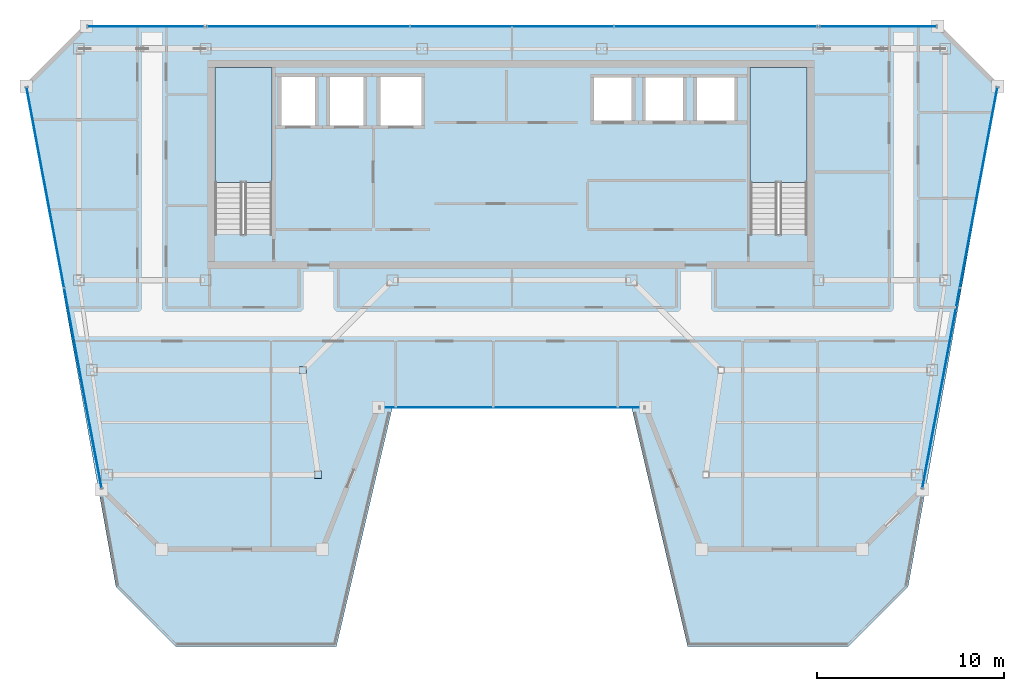
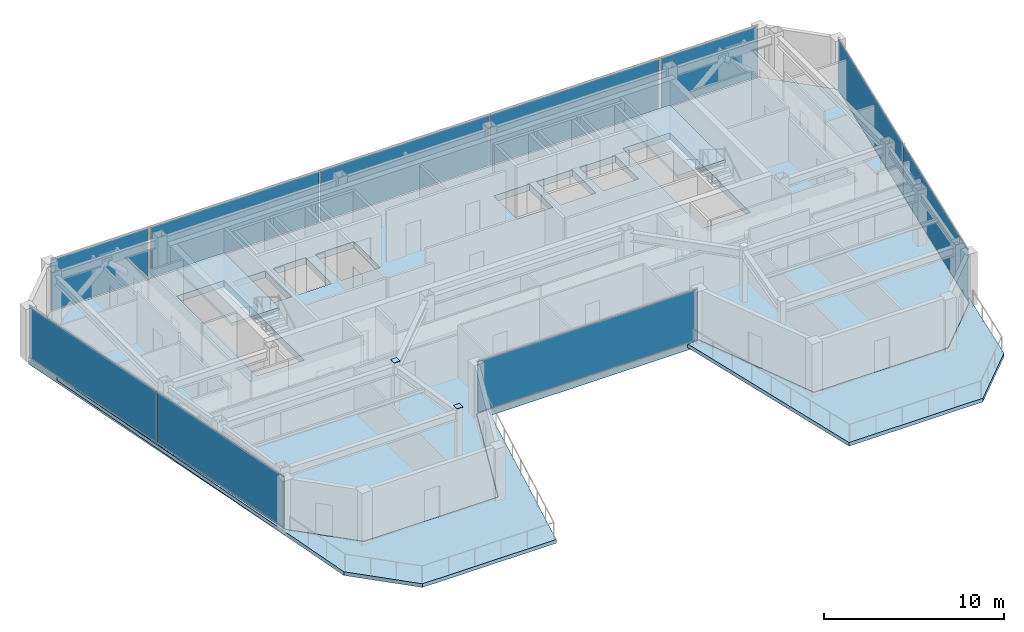
# One storey, part 17 of 25: 12 plates, 5 slabs, 8 elements without a shape of their own.
"""IFC4 building model written with IfcOpenShell, lengths in metres."""

from ifc_helpers import new_model, si_unit, direction, frame, origin, origin_2d, place, context, subcontext, project, spatial, polyline, rectangle, outline, extrude, material, layer, layer_set, type_object, element, aggregate, save


model = new_model("IFC4")

# Units and contexts
model_context = context("Model", 3, precision=1e-05, world=origin(), true_north=direction((0.0, 1.0)))
body_context = subcontext(model_context, "Body", "Model", "MODEL_VIEW")
ifc_project = project(units=[si_unit("LENGTHUNIT", "METRE"), si_unit("AREAUNIT", "SQUARE_METRE"), si_unit("VOLUMEUNIT", "CUBIC_METRE"), si_unit("PLANEANGLEUNIT", "RADIAN"), si_unit("MASSUNIT", "GRAM", prefix="KILO")], contexts=[model_context])

# Site, building, storey
site_placement = place(None, origin())
site = spatial("IfcSite", under=ifc_project, at=site_placement, CompositionType="ELEMENT")
building_placement = place(site_placement, origin())
building = spatial("IfcBuilding", under=site, at=building_placement, Name="Saevonmaru Cultural Tower", CompositionType="ELEMENT")
storey_placement = place(building_placement, frame((0.0, 0.0, 276.199951171875)))
storey = spatial("IfcBuildingStorey", under=building, at=storey_placement, Name="L65", CompositionType="ELEMENT", Elevation=276.199951171875)

# Plates
ifc_material_1 = material(Name="Steel HSA600 (600 MPa)", Category="steel")
ifc_layer_1 = layer(ifc_material_1, 0.0400390625, Name="Steel HSA600 (600 MPa)")
ifc_layer_set_1 = layer_set([ifc_layer_1], Name="Steel HSA600 (600 MPa)")
plate_type_1 = type_object("IfcPlateType", Name="PL-CAP-350", PredefinedType="USERDEFINED", material=ifc_layer_set_1)
for number, where, z_axis, x_axis, name in (
    (1, (19.616943359375, 32.0, 3.794921875), (0.0, 0.0, 1.0), (1.0, 0.0, 0.0), "Column head cap plate TC-WI-Y320 L65"),
    (2, (18.80810546875, 37.60009765625, 3.794921875), (0.0, 0.0, 1.0), (1.0, 0.0, 0.0), "Column head cap plate TC-WI-Y376 L65"),
):
    element("IfcPlate", number, at=place(storey_placement, frame(where, z_axis=z_axis, x_axis=x_axis)), inside=storey, type_object=plate_type_1, Name=name, ObjectType="CAP_PLATE", PredefinedType="USERDEFINED", context=body_context, shape_type="SweptSolid", body=[
        extrude(rectangle(XDim=0.389892578125, YDim=0.389892578125, at=origin_2d()), origin(), (0.0, 0.0, 1.0), 0.0400390625),
    ])

# Curtain wall, plate
ifc_material_2 = material(Name="Satin Bronze Anodised Aluminium", Category="aluminium")
curtain_wall_type = type_object("IfcCurtainWallType", Name="CW-TYP-B", PredefinedType="NOTDEFINED", material=ifc_material_2)
curtain_wall_1_placement = place(storey_placement, origin())
curtain_wall_1 = element("IfcCurtainWall", 3, at=curtain_wall_1_placement, inside=storey, type_object=curtain_wall_type, Name="L65 Unitised Curtain Wall E4", PredefinedType="NOTDEFINED")
ifc_material_3 = material(Name="Triple Silver Low-E Insulating Glass", Category="glass")
ifc_layer_2 = layer(ifc_material_3, 0.035888671875, Name="Triple Silver Low-E Insulating Glass")
ifc_layer_set_2 = layer_set([ifc_layer_2], Name="Triple Silver Low-E Insulating Glass")
plate_type_2 = type_object("IfcPlateType", Name="PN-GLZ-IGU", PredefinedType="CURTAIN_PANEL", material=ifc_layer_set_2)
plate_1_placement = place(storey_placement, frame((30.0, 35.60009765625, 0.067138671875), z_axis=(0.0, 0.0, 1.0), x_axis=(1.0, 0.0, 0.0)))
plate_1 = element("IfcPlate", 4, at=plate_1_placement, type_object=plate_type_2, Name="CW-TW-L65-E4 panel 1.1", PredefinedType="CURTAIN_PANEL", context=body_context, shape_type="SweptSolid", body=[
    extrude(rectangle(XDim=14.122314453125, YDim=0.035888671875, at=origin_2d()), origin(), (0.0, 0.0, 1.0), 3.416015625),
])
aggregate(curtain_wall_1, [plate_1])

# Curtain wall, plates
curtain_wall_2_placement = place(storey_placement, origin())
curtain_wall_2 = element("IfcCurtainWall", 5, at=curtain_wall_2_placement, inside=storey, type_object=curtain_wall_type, Name="L65 Unitised Curtain Wall E8", PredefinedType="NOTDEFINED")
plate_2_placement = place(storey_placement, frame((52.97216796875, 36.62939453125, 0.067138671875), z_axis=(0.0, 0.0, 1.0), x_axis=(0.184046528232, 0.982917532373, 0.0)))
plate_2 = element("IfcPlate", 6, at=plate_2_placement, type_object=plate_type_2, Name="CW-TW-L65-E8 panel 1.1", PredefinedType="CURTAIN_PANEL", context=body_context, shape_type="SweptSolid", body=[
    extrude(rectangle(XDim=10.858642578125, YDim=0.035888671875, at=origin_2d()), origin(), (0.0, 0.0, 1.0), 3.416015625),
])
plate_3_placement = place(storey_placement, frame((54.9833984375, 47.37060546875, 0.067138671875), z_axis=(0.0, 0.0, 1.0), x_axis=(0.184046528232, 0.982917532373, 0.0)))
plate_3 = element("IfcPlate", 7, at=plate_3_placement, type_object=plate_type_2, Name="CW-TW-L65-E8 panel 2.1", PredefinedType="CURTAIN_PANEL", context=body_context, shape_type="SweptSolid", body=[
    extrude(rectangle(XDim=10.858642578125, YDim=0.035888671875, at=origin_2d()), origin(), (0.0, 0.0, 1.0), 3.416015625),
])
aggregate(curtain_wall_2, [plate_2, plate_3])

curtain_wall_3_placement = place(storey_placement, origin())
curtain_wall_3 = element("IfcCurtainWall", 8, at=curtain_wall_3_placement, inside=storey, type_object=curtain_wall_type, Name="L65 North Spine Unitised Curtain Wall E10B", PredefinedType="NOTDEFINED")
plate_4_placement = place(storey_placement, frame((40.893310546875, 56.0, 0.067138671875), z_axis=(0.0, 0.0, 1.0), x_axis=(-1.0, 0.0, 0.0)))
plate_4 = element("IfcPlate", 9, at=plate_4_placement, type_object=plate_type_2, Name="CW-TW-L65-E10B panel 1.1", PredefinedType="CURTAIN_PANEL", context=body_context, shape_type="SweptSolid", body=[
    extrude(rectangle(XDim=10.82421875, YDim=0.035888671875, at=origin_2d()), origin(), (0.0, 0.0, 1.0), 3.416015625),
])
plate_5_placement = place(storey_placement, frame((30.0, 56.0, 0.067138671875), z_axis=(0.0, 0.0, 1.0), x_axis=(-1.0, 0.0, 0.0)))
plate_5 = element("IfcPlate", 10, at=plate_5_placement, type_object=plate_type_2, Name="CW-TW-L65-E10B panel 2.1", PredefinedType="CURTAIN_PANEL", context=body_context, shape_type="SweptSolid", body=[
    extrude(rectangle(XDim=10.82421875, YDim=0.035888671875, at=origin_2d()), origin(), (0.0, 0.0, 1.0), 3.416015625),
])
plate_6_placement = place(storey_placement, frame((19.106689453125, 56.0, 0.067138671875), z_axis=(0.0, 0.0, 1.0), x_axis=(-1.0, 0.0, 0.0)))
plate_6 = element("IfcPlate", 11, at=plate_6_placement, type_object=plate_type_2, Name="CW-TW-L65-E10B panel 3.1", PredefinedType="CURTAIN_PANEL", context=body_context, shape_type="SweptSolid", body=[
    extrude(rectangle(XDim=10.82421875, YDim=0.035888671875, at=origin_2d()), origin(), (0.0, 0.0, 1.0), 3.416015625),
])
aggregate(curtain_wall_3, [plate_4, plate_5, plate_6])

curtain_wall_4_placement = place(storey_placement, origin())
curtain_wall_4 = element("IfcCurtainWall", 12, at=curtain_wall_4_placement, inside=storey, type_object=curtain_wall_type, Name="L65 Unitised Curtain Wall E12", PredefinedType="NOTDEFINED")
plate_7_placement = place(storey_placement, frame((5.0166015625, 47.37060546875, 0.067138671875), z_axis=(0.0, 0.0, 1.0), x_axis=(0.184046528232, -0.982917532373, 0.0)))
plate_7 = element("IfcPlate", 13, at=plate_7_placement, type_object=plate_type_2, Name="CW-TW-L65-E12 panel 1.1", PredefinedType="CURTAIN_PANEL", context=body_context, shape_type="SweptSolid", body=[
    extrude(rectangle(XDim=10.858642578125, YDim=0.035888671875, at=origin_2d()), origin(), (0.0, 0.0, 1.0), 3.416015625),
])
plate_8_placement = place(storey_placement, frame((7.02783203125, 36.62939453125, 0.067138671875), z_axis=(0.0, 0.0, 1.0), x_axis=(0.184046528232, -0.982917532373, 0.0)))
plate_8 = element("IfcPlate", 14, at=plate_8_placement, type_object=plate_type_2, Name="CW-TW-L65-E12 panel 2.1", PredefinedType="CURTAIN_PANEL", context=body_context, shape_type="SweptSolid", body=[
    extrude(rectangle(XDim=10.858642578125, YDim=0.035888671875, at=origin_2d()), origin(), (0.0, 0.0, 1.0), 3.416015625),
])
aggregate(curtain_wall_4, [plate_7, plate_8])

# Curtain wall, plate
curtain_wall_5_placement = place(storey_placement, origin())
curtain_wall_5 = element("IfcCurtainWall", 15, at=curtain_wall_5_placement, inside=storey, type_object=curtain_wall_type, Name="L65 East Braced Bay Spandrel Curtain Wall E10A", PredefinedType="NOTDEFINED")
ifc_material_4 = material(Name="Insulated Satin Bronze Aluminium Spandrel Panel", Category="aluminium")
ifc_layer_3 = layer(ifc_material_4, 0.0400390625, Name="Insulated Satin Bronze Aluminium Spandrel Panel")
ifc_layer_set_3 = layer_set([ifc_layer_3], Name="Insulated Satin Bronze Aluminium Spandrel Panel")
plate_type_3 = type_object("IfcPlateType", Name="PN-SPANDREL-BRONZE", PredefinedType="CURTAIN_PANEL", material=ifc_layer_set_3)
plate_9_placement = place(storey_placement, frame((49.60009765625, 56.0, 0.067138671875), z_axis=(0.0, 0.0, 1.0), x_axis=(-1.0, 0.0, 0.0)))
plate_9 = element("IfcPlate", 16, at=plate_9_placement, type_object=plate_type_3, Name="CW-TW-L65-E10A panel 1.1", PredefinedType="CURTAIN_PANEL", context=body_context, shape_type="SweptSolid", body=[
    extrude(rectangle(XDim=6.2109375, YDim=0.035888671875, at=origin_2d()), origin(), (0.0, 0.0, 1.0), 3.416015625),
])
aggregate(curtain_wall_5, [plate_9])

curtain_wall_6_placement = place(storey_placement, origin())
curtain_wall_6 = element("IfcCurtainWall", 17, at=curtain_wall_6_placement, inside=storey, type_object=curtain_wall_type, Name="L65 West Braced Bay Spandrel Curtain Wall E10C", PredefinedType="NOTDEFINED")
plate_10_placement = place(storey_placement, frame((10.39990234375, 56.0, 0.067138671875), z_axis=(0.0, 0.0, 1.0), x_axis=(-1.0, 0.0, 0.0)))
plate_10 = element("IfcPlate", 18, at=plate_10_placement, type_object=plate_type_3, Name="CW-TW-L65-E10C panel 1.1", PredefinedType="CURTAIN_PANEL", context=body_context, shape_type="SweptSolid", body=[
    extrude(rectangle(XDim=6.2109375, YDim=0.035888671875, at=origin_2d()), origin(), (0.0, 0.0, 1.0), 3.416015625),
])
aggregate(curtain_wall_6, [plate_10])

# Slab
ifc_material_5 = material(Name="Concrete C50/60", Category="concrete")
ifc_layer_4 = layer(ifc_material_5, 0.449951171875, Name="Concrete C50/60")
ifc_layer_set_4 = layer_set([ifc_layer_4], Name="Concrete C50/60")
slab_type_1 = type_object("IfcSlabType", Name="SL-FLR-450", PredefinedType="FLOOR", material=ifc_layer_set_4)
slab_1_placement = place(storey_placement, frame((0.0, 0.0, -0.449951171875)))
element("IfcSlab", 19, at=slab_1_placement, inside=storey, type_object=slab_type_1, Name="L65 Tower Structural Floor Slab", PredefinedType="FLOOR", context=body_context, shape_type="SweptSolid", body=[
    extrude(outline(polyline([(8.04443359375, 31.199951171875), (11.244384765625, 28.0), (19.844482421875, 28.0), (22.844482421875, 35.60009765625), (37.155517578125, 35.60009765625), (40.155517578125, 28.0), (48.755615234375, 28.0), (51.95556640625, 31.199951171875), (56.0, 52.800048828125), (52.800048828125, 56.0), (7.199951171875, 56.0), (4.0, 52.800048828125), (8.04443359375, 31.199951171875)]), holes=[polyline([(45.800048828125, 53.800048828125), (45.800048828125, 44.875), (42.75, 44.875), (42.75, 53.800048828125), (45.800048828125, 53.800048828125)]), polyline([(42.050048828125, 50.800048828125), (39.75, 50.800048828125), (39.75, 53.39990234375), (42.050048828125, 53.39990234375), (42.050048828125, 50.800048828125)]), polyline([(39.300048828125, 50.800048828125), (37.0, 50.800048828125), (37.0, 53.39990234375), (39.300048828125, 53.39990234375), (39.300048828125, 50.800048828125)]), polyline([(36.550048828125, 50.800048828125), (34.25, 50.800048828125), (34.25, 53.39990234375), (36.550048828125, 53.39990234375), (36.550048828125, 50.800048828125)]), polyline([(25.300048828125, 50.550048828125), (22.800048828125, 50.550048828125), (22.800048828125, 53.449951171875), (25.300048828125, 53.449951171875), (25.300048828125, 50.550048828125)]), polyline([(22.199951171875, 50.550048828125), (20.10009765625, 50.550048828125), (20.10009765625, 53.449951171875), (22.199951171875, 53.449951171875), (22.199951171875, 50.550048828125)]), polyline([(19.60009765625, 50.550048828125), (17.5, 50.550048828125), (17.5, 53.449951171875), (19.60009765625, 53.449951171875), (19.60009765625, 50.550048828125)]), polyline([(17.14990234375, 53.800048828125), (17.14990234375, 44.875), (14.10009765625, 44.875), (14.10009765625, 53.800048828125), (17.14990234375, 53.800048828125)])]), origin(), (0.0, 0.0, 1.0), 0.449951171875),
])

# Stair, slab
ifc_material_6 = material(Name="Concrete C40/50", Category="concrete")
stair_type = type_object("IfcStairType", Name="STR-DOGLEG-RC", PredefinedType="HALF_TURN_STAIR", material=ifc_material_6)
stair_1_placement = place(storey_placement, origin())
stair_1 = element("IfcStair", 20, at=stair_1_placement, inside=storey, type_object=stair_type, Name="L65 Protected exit stair ST-1", PredefinedType="HALF_TURN_STAIR")
ifc_layer_5 = layer(ifc_material_6, 0.199951171875, Name="Concrete C40/50")
ifc_layer_set_5 = layer_set([ifc_layer_5], Name="Concrete C40/50")
slab_type_2 = type_object("IfcSlabType", Name="SL-STAIR-LANDING", PredefinedType="LANDING", material=ifc_layer_set_5)
slab_2_placement = place(storey_placement, frame((0.0, 0.0, 1.699951171875)))
slab_2 = element("IfcSlab", 21, at=slab_2_placement, type_object=slab_type_2, Name="ST-1-L65 landing 1", PredefinedType="LANDING", context=body_context, shape_type="SweptSolid", body=[
    extrude(outline(polyline([(17.14990234375, 47.64990234375), (17.14990234375, 53.800048828125), (14.10009765625, 53.800048828125), (14.10009765625, 47.64990234375), (17.14990234375, 47.64990234375)])), origin(), (0.0, 0.0, 1.0), 0.2001953125),
])
aggregate(stair_1, [slab_2])

stair_2_placement = place(storey_placement, origin())
stair_2 = element("IfcStair", 22, at=stair_2_placement, inside=storey, type_object=stair_type, Name="L65 Protected exit stair ST-2", PredefinedType="HALF_TURN_STAIR")
slab_3_placement = place(storey_placement, frame((0.0, 0.0, 1.699951171875)))
slab_3 = element("IfcSlab", 23, at=slab_3_placement, type_object=slab_type_2, Name="ST-2-L65 landing 1", PredefinedType="LANDING", context=body_context, shape_type="SweptSolid", body=[
    extrude(outline(polyline([(45.800048828125, 47.64990234375), (45.800048828125, 53.800048828125), (42.75, 53.800048828125), (42.75, 47.64990234375), (45.800048828125, 47.64990234375)])), origin(), (0.0, 0.0, 1.0), 0.2001953125),
])
aggregate(stair_2, [slab_3])

# Slabs
ifc_layer_6 = layer(ifc_material_6, 0.25, Name="Concrete C40/50")
ifc_layer_set_6 = layer_set([ifc_layer_6], Name="Concrete C40/50")
slab_type_3 = type_object("IfcSlabType", Name="SL-TERR-250", PredefinedType="FLOOR", material=ifc_layer_set_6)
slab_4_placement = place(storey_placement, frame((0.0, 0.0, -0.25)))
element("IfcSlab", 24, at=slab_4_placement, inside=storey, type_object=slab_type_3, Name="L65 Sawtooth Setback Roof Terrace 1", PredefinedType="FLOOR", context=body_context, shape_type="SweptSolid", body=[
    extrude(outline(polyline([(23.5908203125, 35.580078125), (22.85791015625, 35.580078125), (19.863037109375, 27.99267578125), (19.8623046875, 27.99072265625), (19.861083984375, 27.989013671875), (19.860107421875, 27.987548828125), (19.858642578125, 27.986083984375), (19.857177734375, 27.984619140625), (19.855712890625, 27.9833984375), (19.85400390625, 27.982421875), (19.852294921875, 27.981689453125), (19.850341796875, 27.98095703125), (19.848388671875, 27.98046875), (19.846435546875, 27.97998046875), (19.844482421875, 27.97998046875), (11.244384765625, 27.97998046875), (11.242431640625, 27.97998046875), (11.240478515625, 27.98046875), (11.238525390625, 27.98095703125), (11.23681640625, 27.9814453125), (11.235107421875, 27.982421875), (11.2333984375, 27.9833984375), (11.231689453125, 27.984619140625), (11.230224609375, 27.98583984375), (8.0302734375, 31.185791015625), (8.02880859375, 31.187255859375), (8.027587890625, 31.18896484375), (8.026611328125, 31.190673828125), (8.02587890625, 31.1923828125), (8.025146484375, 31.1943359375), (8.024658203125, 31.1962890625), (4.438720703125, 50.3486328125), (8.795654296875, 26.0), (11.99560546875, 22.800048828125), (20.595703125, 22.800048828125), (23.5908203125, 35.580078125)])), origin(), (0.0, 0.0, 1.0), 0.25),
])
slab_5_placement = place(storey_placement, frame((0.0, 0.0, -0.25)))
element("IfcSlab", 25, at=slab_5_placement, inside=storey, type_object=slab_type_3, Name="L65 Sawtooth Setback Roof Terrace 2", PredefinedType="FLOOR", context=body_context, shape_type="SweptSolid", body=[
    extrude(outline(polyline([(55.561279296875, 50.3486328125), (51.975341796875, 31.1962890625), (51.974853515625, 31.1943359375), (51.97412109375, 31.1923828125), (51.973388671875, 31.190673828125), (51.972412109375, 31.18896484375), (51.97119140625, 31.187255859375), (51.9697265625, 31.185791015625), (48.769775390625, 27.98583984375), (48.768310546875, 27.984619140625), (48.7666015625, 27.9833984375), (48.764892578125, 27.982421875), (48.76318359375, 27.9814453125), (48.761474609375, 27.98095703125), (48.759521484375, 27.98046875), (48.757568359375, 27.97998046875), (48.755615234375, 27.97998046875), (40.155517578125, 27.97998046875), (40.153564453125, 27.97998046875), (40.151611328125, 27.98046875), (40.149658203125, 27.98095703125), (40.147705078125, 27.981689453125), (40.14599609375, 27.982421875), (40.144287109375, 27.9833984375), (40.142822265625, 27.984619140625), (40.141357421875, 27.986083984375), (40.139892578125, 27.987548828125), (40.138916015625, 27.989013671875), (40.1376953125, 27.99072265625), (40.136962890625, 27.99267578125), (37.14208984375, 35.580078125), (36.4091796875, 35.580078125), (39.404296875, 22.800048828125), (48.00439453125, 22.800048828125), (51.204345703125, 26.0), (55.561279296875, 50.3486328125)])), origin(), (0.0, 0.0, 1.0), 0.25),
])

save(model, "model.ifc")
